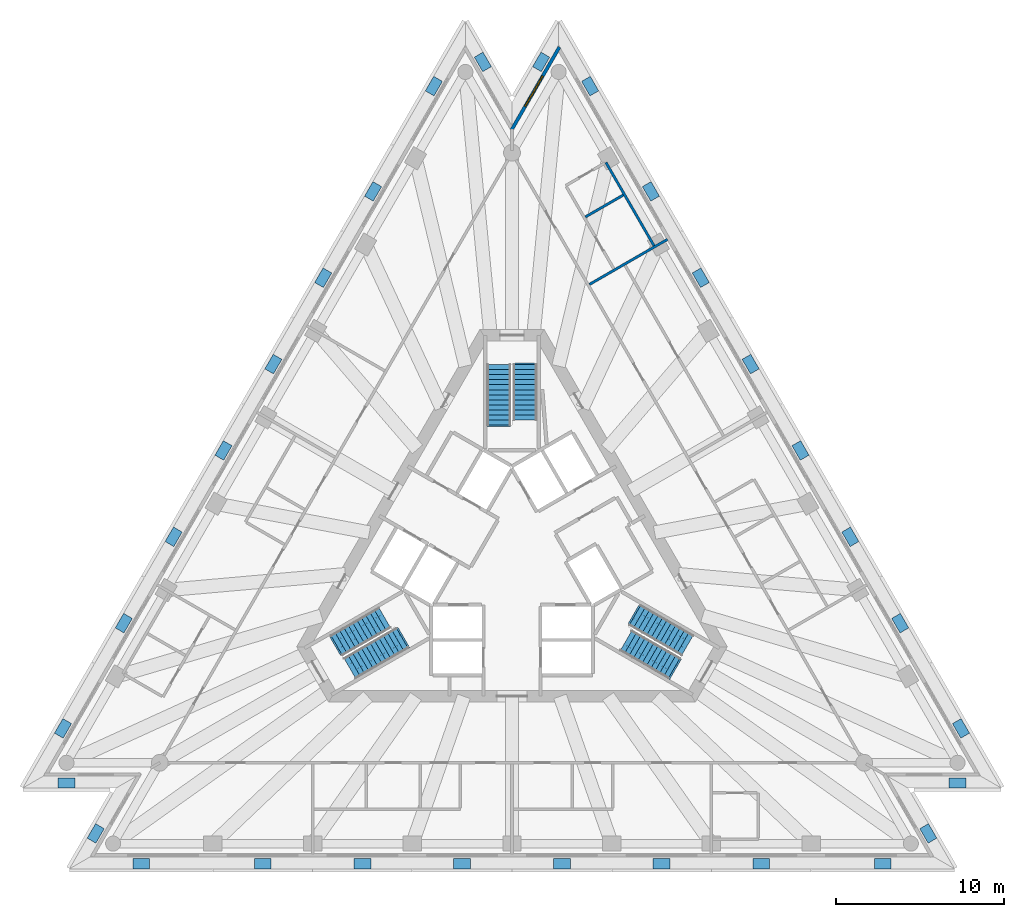
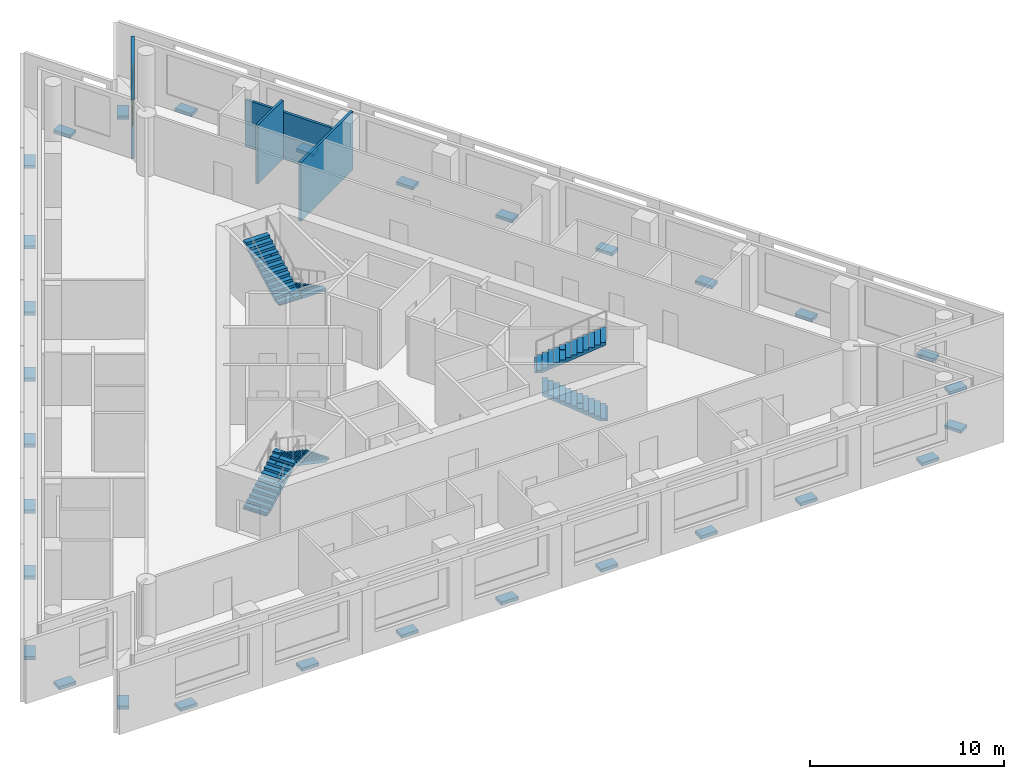
# One storey, part 7 of 9: 30 discrete accessories, 6 stair flights, 4 walls, 1 window, 1 opening, 3 elements without a shape of their own.
"""IFC4 building model written with IfcOpenShell, lengths in metres."""

from ifc_helpers import new_model, si_unit, direction, frame, frame_2d, origin, origin_2d, place, context, subcontext, project, spatial, polyline, rectangle, outline, extrude, material, layer, layer_set, layer_usage, type_object, element, fill, aggregate, save


model = new_model("IFC4")

# Units and contexts
model_context = context("Model", 3, precision=1e-05, world=origin(), true_north=direction((0.0, 1.0)))
body_context = subcontext(model_context, "Body", "Model", "MODEL_VIEW")
ifc_project = project(units=[si_unit("LENGTHUNIT", "METRE"), si_unit("AREAUNIT", "SQUARE_METRE"), si_unit("VOLUMEUNIT", "CUBIC_METRE"), si_unit("PLANEANGLEUNIT", "RADIAN"), si_unit("MASSUNIT", "GRAM", prefix="KILO")], contexts=[model_context])

# Site, building, storey
site_placement = place(None, origin())
site = spatial("IfcSite", under=ifc_project, at=site_placement, CompositionType="ELEMENT")
building_placement = place(site_placement, origin())
building = spatial("IfcBuilding", under=site, at=building_placement, Name="Triada Interchange Tower", CompositionType="ELEMENT")
storey_placement = place(building_placement, frame((0.0, 0.0, 227.300048828125)))
storey = spatial("IfcBuildingStorey", under=building, at=storey_placement, Name="L53", CompositionType="ELEMENT", Elevation=227.300048828125)

# Wall, opening, window
ifc_material_1 = material(Name="Cement board")
ifc_layer_1 = layer(ifc_material_1, 0.02001953125, Name="Cement board cladding")
ifc_material_2 = material(Name="Sheathing board")
ifc_layer_2 = layer(ifc_material_2, 0.014892578125, Name="Sheathing board")
ifc_material_3 = material(Name="Mineral wool")
ifc_layer_3 = layer(ifc_material_3, 0.14990234375, Name="Mineral wool between steel studs")
ifc_material_4 = material(Name="Gypsum board")
ifc_layer_4 = layer(ifc_material_4, 0.014892578125, Name="Plasterboard lining")
ifc_layer_set_1 = layer_set([ifc_layer_1, ifc_layer_2, ifc_layer_3, ifc_layer_4], Name="External wall 200")
ifc_layer_usage = layer_usage(ifc_layer_set_1, "AXIS2", "POSITIVE", -0.10009765625)
wall_type_1 = type_object("IfcWallType", Name="External wall 200", PredefinedType="ELEMENTEDWALL", material=ifc_layer_set_1)
wall_1_placement = place(storey_placement, frame((2.822021484375, 30.5009765625, 0.0), z_axis=(0.0, 0.0, 1.0), x_axis=(-0.49995298266, -0.866052547557, 0.0)))
wall_1 = element("IfcWall", 1, at=wall_1_placement, inside=storey, type_object=wall_type_1, material=ifc_layer_usage, Name="External wall L53 N-1", PredefinedType="ELEMENTEDWALL", context=body_context, shape_type="SweptSolid", body=[
    extrude(rectangle(XDim=5.71435546875, YDim=0.199951171875, at=frame_2d((2.857177734375, 0.0))), origin(), (0.0, 0.0, 1.0), 3.699951171875),
])
opening_placement = place(wall_1_placement, frame((1.989990234375, 0.0, 0.89990234375)))
opening = element("IfcOpeningElement", 2, at=opening_placement, cuts=wall_1, Name="Opening WC29", PredefinedType="OPENING", context=body_context, shape_type="SweptSolid", body=[
    extrude(rectangle(XDim=2.10009765625, YDim=2.5, at=frame_2d((1.050048828125, 1.25))), frame((0.0, 0.10986328125, 0.0), z_axis=(0.0, -1.0, 0.0), x_axis=(1.0, 0.0, 0.0)), (0.0, 0.0, 1.0), 0.219970703125),
])
ifc_material_5 = material(Name="Double glazed aluminium window", Category="aluminium")
window_type = type_object("IfcWindowType", Name="Ribbon window C pocket", PartitioningType="SINGLE_PANEL", PredefinedType="WINDOW", material=ifc_material_5)
window_placement = place(opening_placement, origin())
window = element("IfcWindow", 3, at=window_placement, inside=storey, type_object=window_type, Name="Window L53 N-1 1", OverallHeight=2.5, OverallWidth=2.10009765625, PartitioningType="SINGLE_PANEL", PredefinedType="WINDOW", context=body_context, shape_type="SweptSolid", body=[
    extrude(rectangle(XDim=2.10009765625, YDim=2.5, at=frame_2d((1.050048828125, 1.25))), frame((0.0, 0.030029296875, 0.0), z_axis=(0.0, -1.0, 0.0), x_axis=(1.0, 0.0, 0.0)), (0.0, 0.0, 1.0), 0.06005859375),
])
fill(opening, window)

# Walls
ifc_material_6 = material(Name="Gypsum board partition")
ifc_layer_5 = layer(ifc_material_6, 0.14990234375)
ifc_layer_set_2 = layer_set([ifc_layer_5], Name="PARTITION 150 EI 180")
wall_type_2 = type_object("IfcWallType", Name="PARTITION 150 EI 180", PredefinedType="PARTITIONING", material=ifc_layer_set_2)
wall_2_placement = place(storey_placement, frame((4.60693359375, 16.3701171875, 0.0), z_axis=(0.0, 0.0, 1.0), x_axis=(0.866052151752, 0.499953668299, 0.0)))
element("IfcWall", 4, at=wall_2_placement, inside=storey, type_object=wall_type_2, Name="Wall L53 23", PredefinedType="PARTITIONING", context=body_context, shape_type="SweptSolid", body=[
    extrude(rectangle(XDim=5.3623046875, YDim=0.14990234375, at=frame_2d((2.68115234375, 0.0))), origin(), (0.0, 0.0, 1.0), 3.699951171875),
])
ifc_layer_6 = layer(ifc_material_6, 0.14990234375)
ifc_layer_set_3 = layer_set([ifc_layer_6], Name="PARTITION 150 EI 90")
wall_type_3 = type_object("IfcWallType", Name="PARTITION 150 EI 90", PredefinedType="PARTITIONING", material=ifc_layer_set_3)
wall_3_placement = place(storey_placement, frame((4.365966796875, 20.387939453125, 0.0), z_axis=(0.0, 0.0, 1.0), x_axis=(0.8660749285, 0.499914210863, 0.0)))
element("IfcWall", 5, at=wall_3_placement, inside=storey, type_object=wall_type_3, Name="Wall L53 34", PredefinedType="PARTITIONING", context=body_context, shape_type="SweptSolid", body=[
    extrude(rectangle(XDim=2.6083984375, YDim=0.14990234375, at=frame_2d((1.30419921875, 0.0))), origin(), (0.0, 0.0, 1.0), 3.699951171875),
])
wall_4_placement = place(storey_placement, frame((5.590087890625, 23.635009765625, 0.0), z_axis=(0.0, 0.0, 1.0), x_axis=(0.500037442639, -0.866003785188, 0.0)))
element("IfcWall", 6, at=wall_4_placement, inside=storey, type_object=wall_type_3, Name="Wall L53 35", PredefinedType="PARTITIONING", context=body_context, shape_type="SweptSolid", body=[
    extrude(rectangle(XDim=5.72509765625, YDim=0.14990234375, at=frame_2d((2.862548828125, 0.0))), origin(), (0.0, 0.0, 1.0), 2.949951171875),
])

# Stair, stair flights
ifc_material_7 = material(Name="Concrete C35/45", Category="concrete")
stair_type = type_object("IfcStairType", Name="HALF TURN STAIR 1400", PredefinedType="HALF_TURN_STAIR", material=ifc_material_7)
stair_1_placement = place(storey_placement, origin())
stair_1 = element("IfcStair", 7, at=stair_1_placement, inside=storey, type_object=stair_type, Name="Exit stair S53-1", PredefinedType="HALF_TURN_STAIR")
stair_flight_type = type_object("IfcStairFlightType", Name="STRAIGHT STAIR FLIGHT 1400", PredefinedType="STRAIGHT", material=ifc_material_7)
stair_flight_1_placement = place(storey_placement, frame((0.800048828125, 11.60009765625, 0.0), z_axis=(0.0, 0.0, 1.0), x_axis=(0.0, -1.0, 0.0)))
stair_flight_1 = element("IfcStairFlight", 8, at=stair_flight_1_placement, type_object=stair_flight_type, Name="S53-1 flight 1", NumberOfRisers=12, NumberOfTreads=11, PredefinedType="STRAIGHT", RiserHeight=0.16, TreadLength=0.3, context=body_context, shape_type="SweptSolid", body=[
    extrude(outline(polyline([(-0.10009765625, 0.0), (-0.10009765625, 0.02001953125), (0.0, 0.02001953125), (0.0, 0.159912109375), (0.300048828125, 0.159912109375), (0.300048828125, 0.320068359375), (0.60009765625, 0.320068359375), (0.60009765625, 0.47998046875), (0.89990234375, 0.47998046875), (0.89990234375, 0.639892578125), (1.199951171875, 0.639892578125), (1.199951171875, 0.800048828125), (1.5, 0.800048828125), (1.5, 0.9599609375), (1.800048828125, 0.9599609375), (1.800048828125, 1.1201171875), (2.10009765625, 1.1201171875), (2.10009765625, 1.280029296875), (2.39990234375, 1.280029296875), (2.39990234375, 1.43994140625), (2.699951171875, 1.43994140625), (2.699951171875, 1.60009765625), (3.0, 1.60009765625), (3.0, 1.760009765625), (3.300048828125, 1.760009765625), (3.303955078125, 1.760009765625), (3.303955078125, 1.919921875), (3.303955078125, 1.590087890625), (0.318603515625, 0.0), (-0.10009765625, 0.0)])), frame((0.0, 0.699951171875, 0.0), z_axis=(0.0, -1.0, 0.0), x_axis=(1.0, 0.0, 0.0)), (0.0, 0.0, 1.0), 0.46533203125),
    extrude(outline(polyline([(-0.10009765625, 0.0), (-0.10009765625, 0.02001953125), (0.0, 0.02001953125), (0.0, 0.159912109375), (0.300048828125, 0.159912109375), (0.300048828125, 0.320068359375), (0.60009765625, 0.320068359375), (0.60009765625, 0.47998046875), (0.89990234375, 0.47998046875), (0.89990234375, 0.639892578125), (1.199951171875, 0.639892578125), (1.199951171875, 0.800048828125), (1.5, 0.800048828125), (1.5, 0.9599609375), (1.800048828125, 0.9599609375), (1.800048828125, 1.1201171875), (2.10009765625, 1.1201171875), (2.10009765625, 1.280029296875), (2.39990234375, 1.280029296875), (2.39990234375, 1.43994140625), (2.699951171875, 1.43994140625), (2.699951171875, 1.60009765625), (3.0, 1.60009765625), (3.0, 1.760009765625), (3.300048828125, 1.760009765625), (3.303955078125, 1.760009765625), (3.303955078125, 1.919921875), (3.303955078125, 1.590087890625), (0.318603515625, 0.0), (-0.10009765625, 0.0)])), frame((0.0, 0.232666015625, 0.0), z_axis=(0.0, -1.0, 0.0), x_axis=(1.0, 0.0, 0.0)), (0.0, 0.0, 1.0), 0.46533203125),
    extrude(outline(polyline([(-0.10009765625, 0.0), (-0.10009765625, 0.02001953125), (0.0, 0.02001953125), (0.0, 0.159912109375), (0.300048828125, 0.159912109375), (0.300048828125, 0.320068359375), (0.60009765625, 0.320068359375), (0.60009765625, 0.47998046875), (0.89990234375, 0.47998046875), (0.89990234375, 0.639892578125), (1.199951171875, 0.639892578125), (1.199951171875, 0.800048828125), (1.5, 0.800048828125), (1.5, 0.9599609375), (1.800048828125, 0.9599609375), (1.800048828125, 1.1201171875), (2.10009765625, 1.1201171875), (2.10009765625, 1.280029296875), (2.39990234375, 1.280029296875), (2.39990234375, 1.43994140625), (2.699951171875, 1.43994140625), (2.699951171875, 1.60009765625), (3.0, 1.60009765625), (3.0, 1.760009765625), (3.300048828125, 1.760009765625), (3.303955078125, 1.760009765625), (3.303955078125, 1.919921875), (3.303955078125, 1.590087890625), (0.318603515625, 0.0), (-0.10009765625, 0.0)])), frame((0.0, -0.234619140625, 0.0), z_axis=(0.0, -1.0, 0.0), x_axis=(1.0, 0.0, 0.0)), (0.0, 0.0, 1.0), 0.46533203125),
])
stair_flight_2_placement = place(storey_placement, frame((-0.800048828125, 8.0, 1.919921875), z_axis=(0.0, 0.0, 1.0), x_axis=(0.0, 1.0, 0.0)))
stair_flight_2 = element("IfcStairFlight", 9, at=stair_flight_2_placement, type_object=stair_flight_type, Name="S53-1 flight 2", NumberOfRisers=13, NumberOfTreads=12, PredefinedType="STRAIGHT", RiserHeight=0.16, TreadLength=0.3, context=body_context, shape_type="SweptSolid", body=[
    extrude(outline(polyline([(-0.10009765625, 0.0), (-0.10009765625, 0.02001953125), (0.0, 0.02001953125), (0.0, 0.159912109375), (0.300048828125, 0.159912109375), (0.300048828125, 0.320068359375), (0.60009765625, 0.320068359375), (0.60009765625, 0.47998046875), (0.89990234375, 0.47998046875), (0.89990234375, 0.639892578125), (1.199951171875, 0.639892578125), (1.199951171875, 0.800048828125), (1.5, 0.800048828125), (1.5, 0.9599609375), (1.800048828125, 0.9599609375), (1.800048828125, 1.1201171875), (2.10009765625, 1.1201171875), (2.10009765625, 1.280029296875), (2.39990234375, 1.280029296875), (2.39990234375, 1.43994140625), (2.699951171875, 1.43994140625), (2.699951171875, 1.60009765625), (3.0, 1.60009765625), (3.0, 1.760009765625), (3.300048828125, 1.760009765625), (3.300048828125, 1.919921875), (3.60009765625, 1.919921875), (3.60400390625, 1.919921875), (3.60400390625, 2.080078125), (3.60400390625, 1.75), (0.318603515625, 0.0), (-0.10009765625, 0.0)])), frame((0.0, 0.699951171875, 0.0), z_axis=(0.0, -1.0, 0.0), x_axis=(1.0, 0.0, 0.0)), (0.0, 0.0, 1.0), 0.46533203125),
    extrude(outline(polyline([(-0.10009765625, 0.0), (-0.10009765625, 0.02001953125), (0.0, 0.02001953125), (0.0, 0.159912109375), (0.300048828125, 0.159912109375), (0.300048828125, 0.320068359375), (0.60009765625, 0.320068359375), (0.60009765625, 0.47998046875), (0.89990234375, 0.47998046875), (0.89990234375, 0.639892578125), (1.199951171875, 0.639892578125), (1.199951171875, 0.800048828125), (1.5, 0.800048828125), (1.5, 0.9599609375), (1.800048828125, 0.9599609375), (1.800048828125, 1.1201171875), (2.10009765625, 1.1201171875), (2.10009765625, 1.280029296875), (2.39990234375, 1.280029296875), (2.39990234375, 1.43994140625), (2.699951171875, 1.43994140625), (2.699951171875, 1.60009765625), (3.0, 1.60009765625), (3.0, 1.760009765625), (3.300048828125, 1.760009765625), (3.300048828125, 1.919921875), (3.60009765625, 1.919921875), (3.60400390625, 1.919921875), (3.60400390625, 2.080078125), (3.60400390625, 1.75), (0.318603515625, 0.0), (-0.10009765625, 0.0)])), frame((0.0, 0.232666015625, 0.0), z_axis=(0.0, -1.0, 0.0), x_axis=(1.0, 0.0, 0.0)), (0.0, 0.0, 1.0), 0.46533203125),
    extrude(outline(polyline([(-0.10009765625, 0.0), (-0.10009765625, 0.02001953125), (0.0, 0.02001953125), (0.0, 0.159912109375), (0.300048828125, 0.159912109375), (0.300048828125, 0.320068359375), (0.60009765625, 0.320068359375), (0.60009765625, 0.47998046875), (0.89990234375, 0.47998046875), (0.89990234375, 0.639892578125), (1.199951171875, 0.639892578125), (1.199951171875, 0.800048828125), (1.5, 0.800048828125), (1.5, 0.9599609375), (1.800048828125, 0.9599609375), (1.800048828125, 1.1201171875), (2.10009765625, 1.1201171875), (2.10009765625, 1.280029296875), (2.39990234375, 1.280029296875), (2.39990234375, 1.43994140625), (2.699951171875, 1.43994140625), (2.699951171875, 1.60009765625), (3.0, 1.60009765625), (3.0, 1.760009765625), (3.300048828125, 1.760009765625), (3.300048828125, 1.919921875), (3.60009765625, 1.919921875), (3.60400390625, 1.919921875), (3.60400390625, 2.080078125), (3.60400390625, 1.75), (0.318603515625, 0.0), (-0.10009765625, 0.0)])), frame((0.0, -0.234619140625, 0.0), z_axis=(0.0, -1.0, 0.0), x_axis=(1.0, 0.0, 0.0)), (0.0, 0.0, 1.0), 0.46533203125),
])
aggregate(stair_1, [stair_flight_1, stair_flight_2])

stair_2_placement = place(storey_placement, origin())
stair_2 = element("IfcStair", 10, at=stair_2_placement, inside=storey, type_object=stair_type, Name="Exit stair S53-2", PredefinedType="HALF_TURN_STAIR")
stair_flight_3_placement = place(storey_placement, frame((-10.446044921875, -5.10693359375, 0.0), z_axis=(0.0, 0.0, 1.0), x_axis=(0.866025403784, 0.5, 0.0)))
stair_flight_3 = element("IfcStairFlight", 11, at=stair_flight_3_placement, type_object=stair_flight_type, Name="S53-2 flight 1", NumberOfRisers=12, NumberOfTreads=11, PredefinedType="STRAIGHT", RiserHeight=0.16, TreadLength=0.3, context=body_context, shape_type="SweptSolid", body=[
    extrude(outline(polyline([(-0.10009765625, 0.0), (-0.10009765625, 0.02001953125), (0.0, 0.02001953125), (0.0, 0.159912109375), (0.300048828125, 0.159912109375), (0.300048828125, 0.320068359375), (0.60009765625, 0.320068359375), (0.60009765625, 0.47998046875), (0.89990234375, 0.47998046875), (0.89990234375, 0.639892578125), (1.199951171875, 0.639892578125), (1.199951171875, 0.800048828125), (1.5, 0.800048828125), (1.5, 0.9599609375), (1.800048828125, 0.9599609375), (1.800048828125, 1.1201171875), (2.10009765625, 1.1201171875), (2.10009765625, 1.280029296875), (2.39990234375, 1.280029296875), (2.39990234375, 1.43994140625), (2.699951171875, 1.43994140625), (2.699951171875, 1.60009765625), (3.0, 1.60009765625), (3.0, 1.760009765625), (3.300048828125, 1.760009765625), (3.303955078125, 1.760009765625), (3.303955078125, 1.919921875), (3.303955078125, 1.590087890625), (0.318603515625, 0.0), (-0.10009765625, 0.0)])), frame((0.0, 0.699951171875, 0.0), z_axis=(0.0, -1.0, 0.0), x_axis=(1.0, 0.0, 0.0)), (0.0, 0.0, 1.0), 0.46533203125),
    extrude(outline(polyline([(-0.10009765625, 0.0), (-0.10009765625, 0.02001953125), (0.0, 0.02001953125), (0.0, 0.159912109375), (0.300048828125, 0.159912109375), (0.300048828125, 0.320068359375), (0.60009765625, 0.320068359375), (0.60009765625, 0.47998046875), (0.89990234375, 0.47998046875), (0.89990234375, 0.639892578125), (1.199951171875, 0.639892578125), (1.199951171875, 0.800048828125), (1.5, 0.800048828125), (1.5, 0.9599609375), (1.800048828125, 0.9599609375), (1.800048828125, 1.1201171875), (2.10009765625, 1.1201171875), (2.10009765625, 1.280029296875), (2.39990234375, 1.280029296875), (2.39990234375, 1.43994140625), (2.699951171875, 1.43994140625), (2.699951171875, 1.60009765625), (3.0, 1.60009765625), (3.0, 1.760009765625), (3.300048828125, 1.760009765625), (3.303955078125, 1.760009765625), (3.303955078125, 1.919921875), (3.303955078125, 1.590087890625), (0.318603515625, 0.0), (-0.10009765625, 0.0)])), frame((0.0, 0.232666015625, 0.0), z_axis=(0.0, -1.0, 0.0), x_axis=(1.0, 0.0, 0.0)), (0.0, 0.0, 1.0), 0.46533203125),
    extrude(outline(polyline([(-0.10009765625, 0.0), (-0.10009765625, 0.02001953125), (0.0, 0.02001953125), (0.0, 0.159912109375), (0.300048828125, 0.159912109375), (0.300048828125, 0.320068359375), (0.60009765625, 0.320068359375), (0.60009765625, 0.47998046875), (0.89990234375, 0.47998046875), (0.89990234375, 0.639892578125), (1.199951171875, 0.639892578125), (1.199951171875, 0.800048828125), (1.5, 0.800048828125), (1.5, 0.9599609375), (1.800048828125, 0.9599609375), (1.800048828125, 1.1201171875), (2.10009765625, 1.1201171875), (2.10009765625, 1.280029296875), (2.39990234375, 1.280029296875), (2.39990234375, 1.43994140625), (2.699951171875, 1.43994140625), (2.699951171875, 1.60009765625), (3.0, 1.60009765625), (3.0, 1.760009765625), (3.300048828125, 1.760009765625), (3.303955078125, 1.760009765625), (3.303955078125, 1.919921875), (3.303955078125, 1.590087890625), (0.318603515625, 0.0), (-0.10009765625, 0.0)])), frame((0.0, -0.234619140625, 0.0), z_axis=(0.0, -1.0, 0.0), x_axis=(1.0, 0.0, 0.0)), (0.0, 0.0, 1.0), 0.46533203125),
])
stair_flight_4_placement = place(storey_placement, frame((-6.528076171875, -4.693115234375, 1.919921875), z_axis=(0.0, 0.0, 1.0), x_axis=(-0.866025403784, -0.5, 0.0)))
stair_flight_4 = element("IfcStairFlight", 12, at=stair_flight_4_placement, type_object=stair_flight_type, Name="S53-2 flight 2", NumberOfRisers=13, NumberOfTreads=12, PredefinedType="STRAIGHT", RiserHeight=0.16, TreadLength=0.3, context=body_context, shape_type="SweptSolid", body=[
    extrude(outline(polyline([(-0.10009765625, 0.0), (-0.10009765625, 0.02001953125), (0.0, 0.02001953125), (0.0, 0.159912109375), (0.300048828125, 0.159912109375), (0.300048828125, 0.320068359375), (0.60009765625, 0.320068359375), (0.60009765625, 0.47998046875), (0.89990234375, 0.47998046875), (0.89990234375, 0.639892578125), (1.199951171875, 0.639892578125), (1.199951171875, 0.800048828125), (1.5, 0.800048828125), (1.5, 0.9599609375), (1.800048828125, 0.9599609375), (1.800048828125, 1.1201171875), (2.10009765625, 1.1201171875), (2.10009765625, 1.280029296875), (2.39990234375, 1.280029296875), (2.39990234375, 1.43994140625), (2.699951171875, 1.43994140625), (2.699951171875, 1.60009765625), (3.0, 1.60009765625), (3.0, 1.760009765625), (3.300048828125, 1.760009765625), (3.300048828125, 1.919921875), (3.60009765625, 1.919921875), (3.60400390625, 1.919921875), (3.60400390625, 2.080078125), (3.60400390625, 1.75), (0.318603515625, 0.0), (-0.10009765625, 0.0)])), frame((0.0, 0.699951171875, 0.0), z_axis=(0.0, -1.0, 0.0), x_axis=(1.0, 0.0, 0.0)), (0.0, 0.0, 1.0), 0.46533203125),
    extrude(outline(polyline([(-0.10009765625, 0.0), (-0.10009765625, 0.02001953125), (0.0, 0.02001953125), (0.0, 0.159912109375), (0.300048828125, 0.159912109375), (0.300048828125, 0.320068359375), (0.60009765625, 0.320068359375), (0.60009765625, 0.47998046875), (0.89990234375, 0.47998046875), (0.89990234375, 0.639892578125), (1.199951171875, 0.639892578125), (1.199951171875, 0.800048828125), (1.5, 0.800048828125), (1.5, 0.9599609375), (1.800048828125, 0.9599609375), (1.800048828125, 1.1201171875), (2.10009765625, 1.1201171875), (2.10009765625, 1.280029296875), (2.39990234375, 1.280029296875), (2.39990234375, 1.43994140625), (2.699951171875, 1.43994140625), (2.699951171875, 1.60009765625), (3.0, 1.60009765625), (3.0, 1.760009765625), (3.300048828125, 1.760009765625), (3.300048828125, 1.919921875), (3.60009765625, 1.919921875), (3.60400390625, 1.919921875), (3.60400390625, 2.080078125), (3.60400390625, 1.75), (0.318603515625, 0.0), (-0.10009765625, 0.0)])), frame((0.0, 0.232666015625, 0.0), z_axis=(0.0, -1.0, 0.0), x_axis=(1.0, 0.0, 0.0)), (0.0, 0.0, 1.0), 0.46533203125),
    extrude(outline(polyline([(-0.10009765625, 0.0), (-0.10009765625, 0.02001953125), (0.0, 0.02001953125), (0.0, 0.159912109375), (0.300048828125, 0.159912109375), (0.300048828125, 0.320068359375), (0.60009765625, 0.320068359375), (0.60009765625, 0.47998046875), (0.89990234375, 0.47998046875), (0.89990234375, 0.639892578125), (1.199951171875, 0.639892578125), (1.199951171875, 0.800048828125), (1.5, 0.800048828125), (1.5, 0.9599609375), (1.800048828125, 0.9599609375), (1.800048828125, 1.1201171875), (2.10009765625, 1.1201171875), (2.10009765625, 1.280029296875), (2.39990234375, 1.280029296875), (2.39990234375, 1.43994140625), (2.699951171875, 1.43994140625), (2.699951171875, 1.60009765625), (3.0, 1.60009765625), (3.0, 1.760009765625), (3.300048828125, 1.760009765625), (3.300048828125, 1.919921875), (3.60009765625, 1.919921875), (3.60400390625, 1.919921875), (3.60400390625, 2.080078125), (3.60400390625, 1.75), (0.318603515625, 0.0), (-0.10009765625, 0.0)])), frame((0.0, -0.234619140625, 0.0), z_axis=(0.0, -1.0, 0.0), x_axis=(1.0, 0.0, 0.0)), (0.0, 0.0, 1.0), 0.46533203125),
])
aggregate(stair_2, [stair_flight_3, stair_flight_4])

stair_3_placement = place(storey_placement, origin())
stair_3 = element("IfcStair", 13, at=stair_3_placement, inside=storey, type_object=stair_type, Name="Exit stair S53-3", PredefinedType="HALF_TURN_STAIR")
stair_flight_5_placement = place(storey_placement, frame((9.64599609375, -6.492919921875, 0.0), z_axis=(0.0, 0.0, 1.0), x_axis=(-0.866025403784, 0.5, 0.0)))
stair_flight_5 = element("IfcStairFlight", 14, at=stair_flight_5_placement, type_object=stair_flight_type, Name="S53-3 flight 1", NumberOfRisers=12, NumberOfTreads=11, PredefinedType="STRAIGHT", RiserHeight=0.16, TreadLength=0.3, context=body_context, shape_type="SweptSolid", body=[
    extrude(outline(polyline([(-0.10009765625, 0.0), (-0.10009765625, 0.02001953125), (0.0, 0.02001953125), (0.0, 0.159912109375), (0.300048828125, 0.159912109375), (0.300048828125, 0.320068359375), (0.60009765625, 0.320068359375), (0.60009765625, 0.47998046875), (0.89990234375, 0.47998046875), (0.89990234375, 0.639892578125), (1.199951171875, 0.639892578125), (1.199951171875, 0.800048828125), (1.5, 0.800048828125), (1.5, 0.9599609375), (1.800048828125, 0.9599609375), (1.800048828125, 1.1201171875), (2.10009765625, 1.1201171875), (2.10009765625, 1.280029296875), (2.39990234375, 1.280029296875), (2.39990234375, 1.43994140625), (2.699951171875, 1.43994140625), (2.699951171875, 1.60009765625), (3.0, 1.60009765625), (3.0, 1.760009765625), (3.300048828125, 1.760009765625), (3.303955078125, 1.760009765625), (3.303955078125, 1.919921875), (3.303955078125, 1.590087890625), (0.318603515625, 0.0), (-0.10009765625, 0.0)])), frame((0.0, 0.699951171875, 0.0), z_axis=(0.0, -1.0, 0.0), x_axis=(1.0, 0.0, 0.0)), (0.0, 0.0, 1.0), 0.46533203125),
    extrude(outline(polyline([(-0.10009765625, 0.0), (-0.10009765625, 0.02001953125), (0.0, 0.02001953125), (0.0, 0.159912109375), (0.300048828125, 0.159912109375), (0.300048828125, 0.320068359375), (0.60009765625, 0.320068359375), (0.60009765625, 0.47998046875), (0.89990234375, 0.47998046875), (0.89990234375, 0.639892578125), (1.199951171875, 0.639892578125), (1.199951171875, 0.800048828125), (1.5, 0.800048828125), (1.5, 0.9599609375), (1.800048828125, 0.9599609375), (1.800048828125, 1.1201171875), (2.10009765625, 1.1201171875), (2.10009765625, 1.280029296875), (2.39990234375, 1.280029296875), (2.39990234375, 1.43994140625), (2.699951171875, 1.43994140625), (2.699951171875, 1.60009765625), (3.0, 1.60009765625), (3.0, 1.760009765625), (3.300048828125, 1.760009765625), (3.303955078125, 1.760009765625), (3.303955078125, 1.919921875), (3.303955078125, 1.590087890625), (0.318603515625, 0.0), (-0.10009765625, 0.0)])), frame((0.0, 0.232666015625, 0.0), z_axis=(0.0, -1.0, 0.0), x_axis=(1.0, 0.0, 0.0)), (0.0, 0.0, 1.0), 0.46533203125),
    extrude(outline(polyline([(-0.10009765625, 0.0), (-0.10009765625, 0.02001953125), (0.0, 0.02001953125), (0.0, 0.159912109375), (0.300048828125, 0.159912109375), (0.300048828125, 0.320068359375), (0.60009765625, 0.320068359375), (0.60009765625, 0.47998046875), (0.89990234375, 0.47998046875), (0.89990234375, 0.639892578125), (1.199951171875, 0.639892578125), (1.199951171875, 0.800048828125), (1.5, 0.800048828125), (1.5, 0.9599609375), (1.800048828125, 0.9599609375), (1.800048828125, 1.1201171875), (2.10009765625, 1.1201171875), (2.10009765625, 1.280029296875), (2.39990234375, 1.280029296875), (2.39990234375, 1.43994140625), (2.699951171875, 1.43994140625), (2.699951171875, 1.60009765625), (3.0, 1.60009765625), (3.0, 1.760009765625), (3.300048828125, 1.760009765625), (3.303955078125, 1.760009765625), (3.303955078125, 1.919921875), (3.303955078125, 1.590087890625), (0.318603515625, 0.0), (-0.10009765625, 0.0)])), frame((0.0, -0.234619140625, 0.0), z_axis=(0.0, -1.0, 0.0), x_axis=(1.0, 0.0, 0.0)), (0.0, 0.0, 1.0), 0.46533203125),
])
stair_flight_6_placement = place(storey_placement, frame((7.327880859375, -3.306884765625, 1.919921875), z_axis=(0.0, 0.0, 1.0), x_axis=(0.866025403784, -0.5, 0.0)))
stair_flight_6 = element("IfcStairFlight", 15, at=stair_flight_6_placement, type_object=stair_flight_type, Name="S53-3 flight 2", NumberOfRisers=13, NumberOfTreads=12, PredefinedType="STRAIGHT", RiserHeight=0.16, TreadLength=0.3, context=body_context, shape_type="SweptSolid", body=[
    extrude(outline(polyline([(-0.10009765625, 0.0), (-0.10009765625, 0.02001953125), (0.0, 0.02001953125), (0.0, 0.159912109375), (0.300048828125, 0.159912109375), (0.300048828125, 0.320068359375), (0.60009765625, 0.320068359375), (0.60009765625, 0.47998046875), (0.89990234375, 0.47998046875), (0.89990234375, 0.639892578125), (1.199951171875, 0.639892578125), (1.199951171875, 0.800048828125), (1.5, 0.800048828125), (1.5, 0.9599609375), (1.800048828125, 0.9599609375), (1.800048828125, 1.1201171875), (2.10009765625, 1.1201171875), (2.10009765625, 1.280029296875), (2.39990234375, 1.280029296875), (2.39990234375, 1.43994140625), (2.699951171875, 1.43994140625), (2.699951171875, 1.60009765625), (3.0, 1.60009765625), (3.0, 1.760009765625), (3.300048828125, 1.760009765625), (3.300048828125, 1.919921875), (3.60009765625, 1.919921875), (3.60400390625, 1.919921875), (3.60400390625, 2.080078125), (3.60400390625, 1.75), (0.318603515625, 0.0), (-0.10009765625, 0.0)])), frame((0.0, 0.699951171875, 0.0), z_axis=(0.0, -1.0, 0.0), x_axis=(1.0, 0.0, 0.0)), (0.0, 0.0, 1.0), 0.46533203125),
    extrude(outline(polyline([(-0.10009765625, 0.0), (-0.10009765625, 0.02001953125), (0.0, 0.02001953125), (0.0, 0.159912109375), (0.300048828125, 0.159912109375), (0.300048828125, 0.320068359375), (0.60009765625, 0.320068359375), (0.60009765625, 0.47998046875), (0.89990234375, 0.47998046875), (0.89990234375, 0.639892578125), (1.199951171875, 0.639892578125), (1.199951171875, 0.800048828125), (1.5, 0.800048828125), (1.5, 0.9599609375), (1.800048828125, 0.9599609375), (1.800048828125, 1.1201171875), (2.10009765625, 1.1201171875), (2.10009765625, 1.280029296875), (2.39990234375, 1.280029296875), (2.39990234375, 1.43994140625), (2.699951171875, 1.43994140625), (2.699951171875, 1.60009765625), (3.0, 1.60009765625), (3.0, 1.760009765625), (3.300048828125, 1.760009765625), (3.300048828125, 1.919921875), (3.60009765625, 1.919921875), (3.60400390625, 1.919921875), (3.60400390625, 2.080078125), (3.60400390625, 1.75), (0.318603515625, 0.0), (-0.10009765625, 0.0)])), frame((0.0, 0.232666015625, 0.0), z_axis=(0.0, -1.0, 0.0), x_axis=(1.0, 0.0, 0.0)), (0.0, 0.0, 1.0), 0.46533203125),
    extrude(outline(polyline([(-0.10009765625, 0.0), (-0.10009765625, 0.02001953125), (0.0, 0.02001953125), (0.0, 0.159912109375), (0.300048828125, 0.159912109375), (0.300048828125, 0.320068359375), (0.60009765625, 0.320068359375), (0.60009765625, 0.47998046875), (0.89990234375, 0.47998046875), (0.89990234375, 0.639892578125), (1.199951171875, 0.639892578125), (1.199951171875, 0.800048828125), (1.5, 0.800048828125), (1.5, 0.9599609375), (1.800048828125, 0.9599609375), (1.800048828125, 1.1201171875), (2.10009765625, 1.1201171875), (2.10009765625, 1.280029296875), (2.39990234375, 1.280029296875), (2.39990234375, 1.43994140625), (2.699951171875, 1.43994140625), (2.699951171875, 1.60009765625), (3.0, 1.60009765625), (3.0, 1.760009765625), (3.300048828125, 1.760009765625), (3.300048828125, 1.919921875), (3.60009765625, 1.919921875), (3.60400390625, 1.919921875), (3.60400390625, 2.080078125), (3.60400390625, 1.75), (0.318603515625, 0.0), (-0.10009765625, 0.0)])), frame((0.0, -0.234619140625, 0.0), z_axis=(0.0, -1.0, 0.0), x_axis=(1.0, 0.0, 0.0)), (0.0, 0.0, 1.0), 0.46533203125),
])
aggregate(stair_3, [stair_flight_5, stair_flight_6])

# Discrete accessories
ifc_material_8 = material(Name="Steel S355", Category="steel")
discrete_accessory_type = type_object("IfcDiscreteAccessoryType", Name="Steel bracket outer skin", PredefinedType="BRACKET", material=ifc_material_8)
for number, where, z_axis, x_axis, name in (
    (16, (-4.65087890625, 28.177001953125, -0.27001953125), (0.0, 0.0, 1.0), (-0.866014154918, 0.500019483102, 0.0), "Bracket L53 01"),
    (17, (-8.26904296875, 21.910888671875, -0.27001953125), (0.0, 0.0, 1.0), (-0.866014154918, 0.500019483102, 0.0), "Bracket L53 02"),
    (18, (-11.237060546875, 16.77001953125, -0.27001953125), (0.0, 0.0, 1.0), (-0.866014154918, 0.500019483102, 0.0), "Bracket L53 03"),
    (19, (-14.2060546875, 11.62890625, -0.27001953125), (0.0, 0.0, 1.0), (-0.866014154918, 0.500019483102, 0.0), "Bracket L53 04"),
    (20, (-17.174072265625, 6.488037109375, -0.27001953125), (0.0, 0.0, 1.0), (-0.866014154918, 0.500019483102, 0.0), "Bracket L53 05"),
    (21, (-20.14208984375, 1.346923828125, -0.27001953125), (0.0, 0.0, 1.0), (-0.866014154918, 0.500019483102, 0.0), "Bracket L53 06"),
    (22, (-23.111083984375, -3.7939453125, -0.27001953125), (0.0, 0.0, 1.0), (-0.866014154918, 0.500019483102, 0.0), "Bracket L53 07"),
    (23, (-26.72900390625, -10.06005859375, -0.27001953125), (0.0, 0.0, 1.0), (-0.866014154918, 0.500019483102, 0.0), "Bracket L53 08"),
    (24, (-26.51806640625, -13.305908203125, -0.27001953125), (0.0, 0.0, 1.0), (0.0, -1.0, 0.0), "Bracket L53 09"),
    (25, (-24.781982421875, -16.31103515625, -0.27001953125), (0.0, 0.0, 1.0), (-0.86607467895, 0.499914643197, 0.0), "Bracket L53 10"),
    (26, (-22.076904296875, -18.116943359375, -0.27001953125), (0.0, 0.0, 1.0), (0.0, -1.0, 0.0), "Bracket L53 11"),
    (27, (-14.841064453125, -18.116943359375, -0.27001953125), (0.0, 0.0, 1.0), (0.0, -1.0, 0.0), "Bracket L53 12"),
    (28, (-8.905029296875, -18.116943359375, -0.27001953125), (0.0, 0.0, 1.0), (0.0, -1.0, 0.0), "Bracket L53 13"),
    (29, (-2.968017578125, -18.116943359375, -0.27001953125), (0.0, 0.0, 1.0), (0.0, -1.0, 0.0), "Bracket L53 14"),
    (30, (2.968017578125, -18.116943359375, -0.27001953125), (0.0, 0.0, 1.0), (0.0, -1.0, 0.0), "Bracket L53 15"),
    (31, (8.905029296875, -18.116943359375, -0.27001953125), (0.0, 0.0, 1.0), (0.0, -1.0, 0.0), "Bracket L53 16"),
    (32, (14.841064453125, -18.116943359375, -0.27001953125), (0.0, 0.0, 1.0), (0.0, -1.0, 0.0), "Bracket L53 17"),
    (33, (22.076904296875, -18.116943359375, -0.27001953125), (0.0, 0.0, 1.0), (0.0, -1.0, 0.0), "Bracket L53 18"),
    (34, (24.781982421875, -16.31103515625, -0.27001953125), (0.0, 0.0, 1.0), (0.86607467895, 0.499914643197, 0.0), "Bracket L53 19"),
    (35, (26.51806640625, -13.305908203125, -0.27001953125), (0.0, 0.0, 1.0), (0.0, -1.0, 0.0), "Bracket L53 20"),
    (36, (26.72900390625, -10.06005859375, -0.27001953125), (0.0, 0.0, 1.0), (0.866014154918, 0.500019483102, 0.0), "Bracket L53 21"),
    (37, (23.111083984375, -3.7939453125, -0.27001953125), (0.0, 0.0, 1.0), (0.866014154918, 0.500019483102, 0.0), "Bracket L53 22"),
    (38, (20.14208984375, 1.346923828125, -0.27001953125), (0.0, 0.0, 1.0), (0.866014154918, 0.500019483102, 0.0), "Bracket L53 23"),
    (39, (17.174072265625, 6.488037109375, -0.27001953125), (0.0, 0.0, 1.0), (0.866014154918, 0.500019483102, 0.0), "Bracket L53 24"),
    (40, (14.2060546875, 11.62890625, -0.27001953125), (0.0, 0.0, 1.0), (0.866014154918, 0.500019483102, 0.0), "Bracket L53 25"),
    (41, (11.237060546875, 16.77001953125, -0.27001953125), (0.0, 0.0, 1.0), (0.866014154918, 0.500019483102, 0.0), "Bracket L53 26"),
    (42, (8.26904296875, 21.910888671875, -0.27001953125), (0.0, 0.0, 1.0), (0.866014154918, 0.500019483102, 0.0), "Bracket L53 27"),
    (43, (4.65087890625, 28.177001953125, -0.27001953125), (0.0, 0.0, 1.0), (0.866014154918, 0.500019483102, 0.0), "Bracket L53 28"),
    (44, (1.735107421875, 29.617919921875, -0.27001953125), (0.0, 0.0, 1.0), (-0.866029679809, 0.499992593634, 0.0), "Bracket L53 29"),
    (45, (-1.735107421875, 29.617919921875, -0.27001953125), (0.0, 0.0, 1.0), (0.866029679809, 0.499992593634, 0.0), "Bracket L53 30"),
):
    element("IfcDiscreteAccessory", number, at=place(storey_placement, frame(where, z_axis=z_axis, x_axis=x_axis)), inside=storey, type_object=discrete_accessory_type, Name=name, PredefinedType="BRACKET", context=body_context, shape_type="SweptSolid", body=[
        extrude(rectangle(XDim=0.60009765625, YDim=1.0, at=origin_2d()), origin(), (0.0, 0.0, 1.0), 0.199951171875),
    ])

save(model, "model.ifc")
